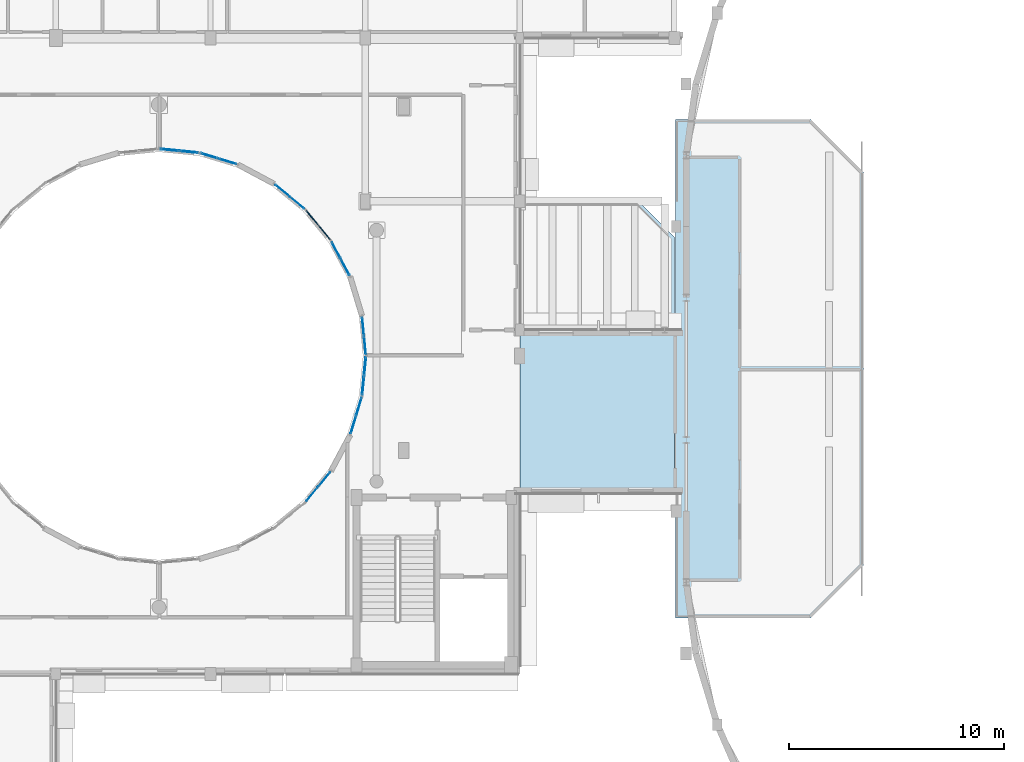
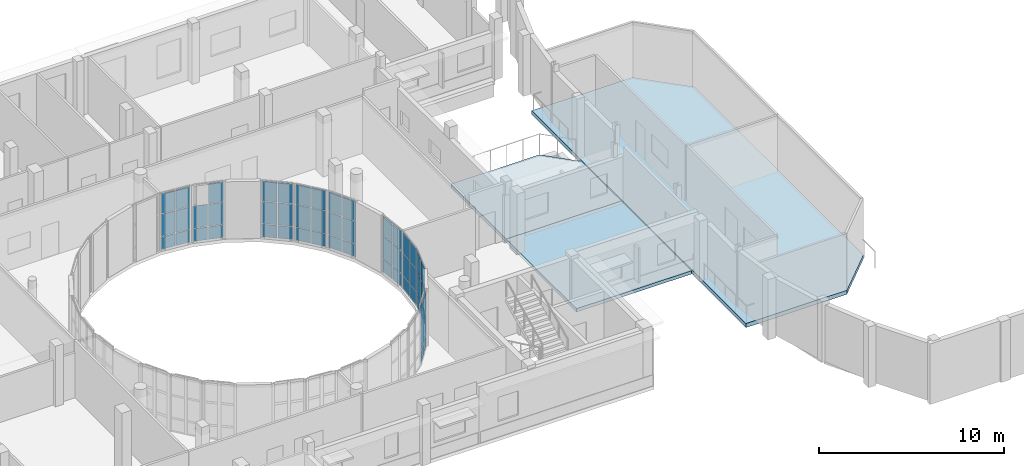
# One storey, part 62 of 92: 53 plates, 3 slabs, 9 elements without a shape of their own.
"""IFC4 building model written with IfcOpenShell, lengths in metres."""

from ifc_helpers import new_model, si_unit, direction, frame, origin, origin_2d, place, context, subcontext, project, spatial, polyline, rectangle, outline, extrude, material, layer, layer_set, type_object, element, aggregate, save


model = new_model("IFC4")

# Units and contexts
model_context = context("Model", 3, precision=1e-05, world=origin(), true_north=direction((0.0, 1.0)))
body_context = subcontext(model_context, "Body", "Model", "MODEL_VIEW")
ifc_project = project(units=[si_unit("LENGTHUNIT", "METRE"), si_unit("AREAUNIT", "SQUARE_METRE"), si_unit("VOLUMEUNIT", "CUBIC_METRE"), si_unit("PLANEANGLEUNIT", "RADIAN"), si_unit("MASSUNIT", "GRAM", prefix="KILO")], contexts=[model_context])

# Site, building, storey
site_placement = place(None, origin())
site = spatial("IfcSite", under=ifc_project, at=site_placement, CompositionType="ELEMENT")
building_placement = place(site_placement, origin())
building = spatial("IfcBuilding", under=site, at=building_placement, Name="Kelanivale Promenade Academy", CompositionType="ELEMENT")
storey_placement = place(building_placement, frame((0.0, 0.0, 8.199951171875)))
storey = spatial("IfcBuildingStorey", under=building, at=storey_placement, Name="L02", CompositionType="ELEMENT", Elevation=8.199951171875)

# Curtain wall, plates
ifc_material_1 = material(Name="Bronze anodised aluminium and solar-control low-E glass", Category="aluminium")
ifc_layer_1 = layer(ifc_material_1, 0.169921875)
ifc_layer_set_1 = layer_set([ifc_layer_1], Name="Bronze anodised aluminium and solar-control low-E glass")
curtain_wall_type_1 = type_object("IfcCurtainWallType", Name="CW-10 Curtain Wall 1800mm Module", PredefinedType="USERDEFINED", material=ifc_layer_set_1)
curtain_wall_1_placement = place(storey_placement, origin())
curtain_wall_1 = element("IfcCurtainWall", 1, at=curtain_wall_1_placement, inside=storey, type_object=curtain_wall_type_1, Name="L02 courtyard curtain wall CW-10", ObjectType="UNITISED GLAZING", PredefinedType="USERDEFINED")
ifc_material_2 = material(Name="Solar-control double glazing 28 mm", Category="glass")
ifc_layer_2 = layer(ifc_material_2, 0.028076171875)
ifc_layer_set_2 = layer_set([ifc_layer_2], Name="Solar-control double glazing 28 mm")
plate_type_1 = type_object("IfcPlateType", Name="CWP-01 Plate 28mm", PredefinedType="CURTAIN_PANEL", material=ifc_layer_set_2)
plate_1_placement = place(storey_placement, frame((105.23828125, 63.92822265625, 0.05029296875), z_axis=(0.0, 0.0, 1.0), x_axis=(-0.773257170269, 0.634092539482, 0.0)))
plate_1 = element("IfcPlate", 2, at=plate_1_placement, type_object=plate_type_1, Name="CW-10 panel 1.1", PredefinedType="CURTAIN_PANEL", context=body_context, shape_type="SweptSolid", body=[
    extrude(rectangle(XDim=0.833251953125, YDim=0.028076171875, at=origin_2d()), origin(), (0.0, 0.0, 1.0), 0.824951171875),
])
plate_2_placement = place(storey_placement, frame((105.23828125, 63.92822265625, 0.92529296875), z_axis=(0.0, 0.0, 1.0), x_axis=(-0.773257170269, 0.634092539482, 0.0)))
plate_2 = element("IfcPlate", 3, at=plate_2_placement, type_object=plate_type_1, Name="CW-10 panel 1.2", PredefinedType="CURTAIN_PANEL", context=body_context, shape_type="SweptSolid", body=[
    extrude(rectangle(XDim=0.833251953125, YDim=0.028076171875, at=origin_2d()), origin(), (0.0, 0.0, 1.0), 1.449951171875),
])
plate_3_placement = place(storey_placement, frame((105.23828125, 63.92822265625, 2.42529296875), z_axis=(0.0, 0.0, 1.0), x_axis=(-0.773257170269, 0.634092539482, 0.0)))
plate_3 = element("IfcPlate", 4, at=plate_3_placement, type_object=plate_type_1, Name="CW-10 panel 1.3", PredefinedType="CURTAIN_PANEL", context=body_context, shape_type="SweptSolid", body=[
    extrude(rectangle(XDim=0.833251953125, YDim=0.028076171875, at=origin_2d()), origin(), (0.0, 0.0, 1.0), 1.304931640625),
])
plate_4_placement = place(storey_placement, frame((104.547607421875, 64.49462890625, 0.05029296875), z_axis=(0.0, 0.0, 1.0), x_axis=(-0.773257170269, 0.634092539482, 0.0)))
plate_4 = element("IfcPlate", 5, at=plate_4_placement, type_object=plate_type_1, Name="CW-10 panel 2.1", PredefinedType="CURTAIN_PANEL", context=body_context, shape_type="SweptSolid", body=[
    extrude(rectangle(XDim=0.833251953125, YDim=0.028076171875, at=origin_2d()), origin(), (0.0, 0.0, 1.0), 0.824951171875),
])
plate_5_placement = place(storey_placement, frame((104.547607421875, 64.49462890625, 0.92529296875), z_axis=(0.0, 0.0, 1.0), x_axis=(-0.773257170269, 0.634092539482, 0.0)))
plate_5 = element("IfcPlate", 6, at=plate_5_placement, type_object=plate_type_1, Name="CW-10 panel 2.2", PredefinedType="CURTAIN_PANEL", context=body_context, shape_type="SweptSolid", body=[
    extrude(rectangle(XDim=0.833251953125, YDim=0.028076171875, at=origin_2d()), origin(), (0.0, 0.0, 1.0), 1.449951171875),
])
plate_6_placement = place(storey_placement, frame((104.547607421875, 64.49462890625, 2.42529296875), z_axis=(0.0, 0.0, 1.0), x_axis=(-0.773257170269, 0.634092539482, 0.0)))
plate_6 = element("IfcPlate", 7, at=plate_6_placement, type_object=plate_type_1, Name="CW-10 panel 2.3", PredefinedType="CURTAIN_PANEL", context=body_context, shape_type="SweptSolid", body=[
    extrude(rectangle(XDim=0.833251953125, YDim=0.028076171875, at=origin_2d()), origin(), (0.0, 0.0, 1.0), 1.304931640625),
])
aggregate(curtain_wall_1, [plate_1, plate_2, plate_3, plate_4, plate_5, plate_6])

ifc_layer_3 = layer(ifc_material_1, 0.169921875)
ifc_layer_set_3 = layer_set([ifc_layer_3], Name="Bronze anodised aluminium and solar-control low-E glass")
curtain_wall_type_2 = type_object("IfcCurtainWallType", Name="CW-04 Curtain Wall 1800mm Module", PredefinedType="USERDEFINED", material=ifc_layer_set_3)
curtain_wall_2_placement = place(storey_placement, origin())
curtain_wall_2 = element("IfcCurtainWall", 8, at=curtain_wall_2_placement, inside=storey, type_object=curtain_wall_type_2, Name="L02 courtyard curtain wall CW-04", ObjectType="UNITISED GLAZING", PredefinedType="USERDEFINED")
plate_7_placement = place(storey_placement, frame((105.928955078125, 50.362548828125, 0.06005859375), z_axis=(0.0, 0.0, 1.0), x_axis=(0.634092539482, 0.773257170269, 0.0)))
plate_7 = element("IfcPlate", 9, at=plate_7_placement, type_object=plate_type_1, Name="CW-04 panel 1.1", PredefinedType="CURTAIN_PANEL", context=body_context, shape_type="SweptSolid", body=[
    extrude(rectangle(XDim=0.825927734375, YDim=0.028076171875, at=origin_2d()), origin(), (0.0, 0.0, 1.0), 0.81005859375),
])
plate_8_placement = place(storey_placement, frame((105.928955078125, 50.362548828125, 0.93017578125), z_axis=(0.0, 0.0, 1.0), x_axis=(0.634092539482, 0.773257170269, 0.0)))
plate_8 = element("IfcPlate", 10, at=plate_8_placement, type_object=plate_type_1, Name="CW-04 panel 1.2", PredefinedType="CURTAIN_PANEL", context=body_context, shape_type="SweptSolid", body=[
    extrude(rectangle(XDim=0.825927734375, YDim=0.028076171875, at=origin_2d()), origin(), (0.0, 0.0, 1.0), 1.43994140625),
])
plate_9_placement = place(storey_placement, frame((105.928955078125, 50.362548828125, 2.429931640625), z_axis=(0.0, 0.0, 1.0), x_axis=(0.634092539482, 0.773257170269, 0.0)))
plate_9 = element("IfcPlate", 11, at=plate_9_placement, type_object=plate_type_1, Name="CW-04 panel 1.3", PredefinedType="CURTAIN_PANEL", context=body_context, shape_type="SweptSolid", body=[
    extrude(rectangle(XDim=0.825927734375, YDim=0.028076171875, at=origin_2d()), origin(), (0.0, 0.0, 1.0), 1.2900390625),
])
plate_10_placement = place(storey_placement, frame((106.493896484375, 51.051513671875, 0.06005859375), z_axis=(0.0, 0.0, 1.0), x_axis=(0.634092539482, 0.773257170269, 0.0)))
plate_10 = element("IfcPlate", 12, at=plate_10_placement, type_object=plate_type_1, Name="CW-04 panel 2.1", PredefinedType="CURTAIN_PANEL", context=body_context, shape_type="SweptSolid", body=[
    extrude(rectangle(XDim=0.825927734375, YDim=0.028076171875, at=origin_2d()), origin(), (0.0, 0.0, 1.0), 0.81005859375),
])
plate_11_placement = place(storey_placement, frame((106.493896484375, 51.051513671875, 0.93017578125), z_axis=(0.0, 0.0, 1.0), x_axis=(0.634092539482, 0.773257170269, 0.0)))
plate_11 = element("IfcPlate", 13, at=plate_11_placement, type_object=plate_type_1, Name="CW-04 panel 2.2", PredefinedType="CURTAIN_PANEL", context=body_context, shape_type="SweptSolid", body=[
    extrude(rectangle(XDim=0.825927734375, YDim=0.028076171875, at=origin_2d()), origin(), (0.0, 0.0, 1.0), 1.43994140625),
])
plate_12_placement = place(storey_placement, frame((106.493896484375, 51.051513671875, 2.429931640625), z_axis=(0.0, 0.0, 1.0), x_axis=(0.634092539482, 0.773257170269, 0.0)))
plate_12 = element("IfcPlate", 14, at=plate_12_placement, type_object=plate_type_1, Name="CW-04 panel 2.3", PredefinedType="CURTAIN_PANEL", context=body_context, shape_type="SweptSolid", body=[
    extrude(rectangle(XDim=0.825927734375, YDim=0.028076171875, at=origin_2d()), origin(), (0.0, 0.0, 1.0), 1.2900390625),
])
aggregate(curtain_wall_2, [plate_7, plate_8, plate_9, plate_10, plate_11, plate_12])

ifc_layer_4 = layer(ifc_material_1, 0.169921875)
ifc_layer_set_4 = layer_set([ifc_layer_4], Name="Bronze anodised aluminium and solar-control low-E glass")
curtain_wall_type_3 = type_object("IfcCurtainWallType", Name="CW-07 Curtain Wall 1350mm Module", PredefinedType="USERDEFINED", material=ifc_layer_set_4)
curtain_wall_3_placement = place(storey_placement, origin())
curtain_wall_3 = element("IfcCurtainWall", 15, at=curtain_wall_3_placement, inside=storey, type_object=curtain_wall_type_3, Name="L02 courtyard curtain wall CW-07", ObjectType="UNITISED GLAZING", PredefinedType="USERDEFINED")
plate_13_placement = place(storey_placement, frame((108.391845703125, 57.28955078125, 0.05029296875), z_axis=(0.0, 0.0, 1.0), x_axis=(-0.098538762159, 0.99513321337, 0.0)))
plate_13 = element("IfcPlate", 16, at=plate_13_placement, type_object=plate_type_1, Name="CW-07 panel 1.1", PredefinedType="CURTAIN_PANEL", context=body_context, shape_type="SweptSolid", body=[
    extrude(rectangle(XDim=0.825927734375, YDim=0.028076171875, at=origin_2d()), origin(), (0.0, 0.0, 1.0), 0.824951171875),
])
plate_14_placement = place(storey_placement, frame((108.391845703125, 57.28955078125, 0.92529296875), z_axis=(0.0, 0.0, 1.0), x_axis=(-0.098538762159, 0.99513321337, 0.0)))
plate_14 = element("IfcPlate", 17, at=plate_14_placement, type_object=plate_type_1, Name="CW-07 panel 1.2", PredefinedType="CURTAIN_PANEL", context=body_context, shape_type="SweptSolid", body=[
    extrude(rectangle(XDim=0.825927734375, YDim=0.028076171875, at=origin_2d()), origin(), (0.0, 0.0, 1.0), 1.449951171875),
])
plate_15_placement = place(storey_placement, frame((108.391845703125, 57.28955078125, 2.42529296875), z_axis=(0.0, 0.0, 1.0), x_axis=(-0.098538762159, 0.99513321337, 0.0)))
plate_15 = element("IfcPlate", 18, at=plate_15_placement, type_object=plate_type_1, Name="CW-07 panel 1.3", PredefinedType="CURTAIN_PANEL", context=body_context, shape_type="SweptSolid", body=[
    extrude(rectangle(XDim=0.825927734375, YDim=0.028076171875, at=origin_2d()), origin(), (0.0, 0.0, 1.0), 1.304931640625),
])
plate_16_placement = place(storey_placement, frame((108.30419921875, 58.17626953125, 0.05029296875), z_axis=(0.0, 0.0, 1.0), x_axis=(-0.098538762159, 0.99513321337, 0.0)))
plate_16 = element("IfcPlate", 19, at=plate_16_placement, type_object=plate_type_1, Name="CW-07 panel 2.1", PredefinedType="CURTAIN_PANEL", context=body_context, shape_type="SweptSolid", body=[
    extrude(rectangle(XDim=0.825927734375, YDim=0.028076171875, at=origin_2d()), origin(), (0.0, 0.0, 1.0), 0.824951171875),
])
plate_17_placement = place(storey_placement, frame((108.30419921875, 58.17626953125, 0.92529296875), z_axis=(0.0, 0.0, 1.0), x_axis=(-0.098538762159, 0.99513321337, 0.0)))
plate_17 = element("IfcPlate", 20, at=plate_17_placement, type_object=plate_type_1, Name="CW-07 panel 2.2", PredefinedType="CURTAIN_PANEL", context=body_context, shape_type="SweptSolid", body=[
    extrude(rectangle(XDim=0.825927734375, YDim=0.028076171875, at=origin_2d()), origin(), (0.0, 0.0, 1.0), 1.449951171875),
])
plate_18_placement = place(storey_placement, frame((108.30419921875, 58.17626953125, 2.42529296875), z_axis=(0.0, 0.0, 1.0), x_axis=(-0.098538762159, 0.99513321337, 0.0)))
plate_18 = element("IfcPlate", 21, at=plate_18_placement, type_object=plate_type_1, Name="CW-07 panel 2.3", PredefinedType="CURTAIN_PANEL", context=body_context, shape_type="SweptSolid", body=[
    extrude(rectangle(XDim=0.825927734375, YDim=0.028076171875, at=origin_2d()), origin(), (0.0, 0.0, 1.0), 1.304931640625),
])
aggregate(curtain_wall_3, [plate_13, plate_14, plate_15, plate_16, plate_17, plate_18])

ifc_layer_5 = layer(ifc_material_1, 0.179931640625)
ifc_layer_set_5 = layer_set([ifc_layer_5], Name="Bronze anodised aluminium and solar-control low-E glass")
curtain_wall_type_4 = type_object("IfcCurtainWallType", Name="CW-08 Curtain Wall 1500mm Module", PredefinedType="USERDEFINED", material=ifc_layer_set_5)
curtain_wall_4_placement = place(storey_placement, origin())
curtain_wall_4 = element("IfcCurtainWall", 22, at=curtain_wall_4_placement, inside=storey, type_object=curtain_wall_type_4, Name="L02 courtyard curtain wall CW-08", ObjectType="UNITISED GLAZING", PredefinedType="USERDEFINED")
ifc_material_3 = material(Name="Acoustic laminated double glazing 36 mm", Category="glass")
ifc_layer_6 = layer(ifc_material_3, 0.035888671875)
ifc_layer_set_6 = layer_set([ifc_layer_6], Name="Acoustic laminated double glazing 36 mm")
plate_type_2 = type_object("IfcPlateType", Name="CWP-02 Plate 36mm", PredefinedType="CURTAIN_PANEL", material=ifc_layer_set_6)
plate_19_placement = place(storey_placement, frame((107.467529296875, 60.935791015625, 0.06005859375), z_axis=(0.0, 0.0, 1.0), x_axis=(-0.471290193914, 0.881978204448, 0.0)))
plate_19 = element("IfcPlate", 23, at=plate_19_placement, type_object=plate_type_2, Name="CW-08 panel 1.1", PredefinedType="CURTAIN_PANEL", context=body_context, shape_type="SweptSolid", body=[
    extrude(rectangle(XDim=0.82666015625, YDim=0.035888671875, at=origin_2d()), origin(), (0.0, 0.0, 1.0), 0.81005859375),
])
plate_20_placement = place(storey_placement, frame((107.467529296875, 60.935791015625, 0.93017578125), z_axis=(0.0, 0.0, 1.0), x_axis=(-0.471290193914, 0.881978204448, 0.0)))
plate_20 = element("IfcPlate", 24, at=plate_20_placement, type_object=plate_type_2, Name="CW-08 panel 1.2", PredefinedType="CURTAIN_PANEL", context=body_context, shape_type="SweptSolid", body=[
    extrude(rectangle(XDim=0.82666015625, YDim=0.035888671875, at=origin_2d()), origin(), (0.0, 0.0, 1.0), 1.43994140625),
])
plate_21_placement = place(storey_placement, frame((107.467529296875, 60.935791015625, 2.429931640625), z_axis=(0.0, 0.0, 1.0), x_axis=(-0.471290193914, 0.881978204448, 0.0)))
plate_21 = element("IfcPlate", 25, at=plate_21_placement, type_object=plate_type_2, Name="CW-08 panel 1.3", PredefinedType="CURTAIN_PANEL", context=body_context, shape_type="SweptSolid", body=[
    extrude(rectangle(XDim=0.82666015625, YDim=0.035888671875, at=origin_2d()), origin(), (0.0, 0.0, 1.0), 1.2900390625),
])
plate_22_placement = place(storey_placement, frame((107.04736328125, 61.72216796875, 0.06005859375), z_axis=(0.0, 0.0, 1.0), x_axis=(-0.471290193914, 0.881978204448, 0.0)))
plate_22 = element("IfcPlate", 26, at=plate_22_placement, type_object=plate_type_2, Name="CW-08 panel 2.1", PredefinedType="CURTAIN_PANEL", context=body_context, shape_type="SweptSolid", body=[
    extrude(rectangle(XDim=0.82666015625, YDim=0.035888671875, at=origin_2d()), origin(), (0.0, 0.0, 1.0), 0.81005859375),
])
plate_23_placement = place(storey_placement, frame((107.04736328125, 61.72216796875, 0.93017578125), z_axis=(0.0, 0.0, 1.0), x_axis=(-0.471290193914, 0.881978204448, 0.0)))
plate_23 = element("IfcPlate", 27, at=plate_23_placement, type_object=plate_type_2, Name="CW-08 panel 2.2", PredefinedType="CURTAIN_PANEL", context=body_context, shape_type="SweptSolid", body=[
    extrude(rectangle(XDim=0.82666015625, YDim=0.035888671875, at=origin_2d()), origin(), (0.0, 0.0, 1.0), 1.43994140625),
])
plate_24_placement = place(storey_placement, frame((107.04736328125, 61.72216796875, 2.429931640625), z_axis=(0.0, 0.0, 1.0), x_axis=(-0.471290193914, 0.881978204448, 0.0)))
plate_24 = element("IfcPlate", 28, at=plate_24_placement, type_object=plate_type_2, Name="CW-08 panel 2.3", PredefinedType="CURTAIN_PANEL", context=body_context, shape_type="SweptSolid", body=[
    extrude(rectangle(XDim=0.82666015625, YDim=0.035888671875, at=origin_2d()), origin(), (0.0, 0.0, 1.0), 1.2900390625),
])
aggregate(curtain_wall_4, [plate_19, plate_20, plate_21, plate_22, plate_23, plate_24])

ifc_layer_7 = layer(ifc_material_1, 0.179931640625)
ifc_layer_set_7 = layer_set([ifc_layer_7], Name="Bronze anodised aluminium and solar-control low-E glass")
curtain_wall_type_5 = type_object("IfcCurtainWallType", Name="CW-11 Curtain Wall 1950mm Module", PredefinedType="USERDEFINED", material=ifc_layer_set_7)
curtain_wall_5_placement = place(storey_placement, origin())
curtain_wall_5 = element("IfcCurtainWall", 29, at=curtain_wall_5_placement, inside=storey, type_object=curtain_wall_type_5, Name="L02 courtyard curtain wall CW-11", ObjectType="UNITISED GLAZING", PredefinedType="USERDEFINED")
plate_25_placement = place(storey_placement, frame((102.00439453125, 65.853759765625, 0.05029296875), z_axis=(0.0, 0.0, 1.0), x_axis=(-0.956987977524, 0.290127576893, 0.0)))
plate_25 = element("IfcPlate", 30, at=plate_25_placement, type_object=plate_type_2, Name="CW-11 panel 1.1", PredefinedType="CURTAIN_PANEL", context=body_context, shape_type="SweptSolid", body=[
    extrude(rectangle(XDim=0.826171875, YDim=0.035888671875, at=origin_2d()), origin(), (0.0, 0.0, 1.0), 0.824951171875),
])
plate_26_placement = place(storey_placement, frame((102.00439453125, 65.853759765625, 0.92529296875), z_axis=(0.0, 0.0, 1.0), x_axis=(-0.956987977524, 0.290127576893, 0.0)))
plate_26 = element("IfcPlate", 31, at=plate_26_placement, type_object=plate_type_2, Name="CW-11 panel 1.2", PredefinedType="CURTAIN_PANEL", context=body_context, shape_type="SweptSolid", body=[
    extrude(rectangle(XDim=0.826171875, YDim=0.035888671875, at=origin_2d()), origin(), (0.0, 0.0, 1.0), 1.449951171875),
])
plate_27_placement = place(storey_placement, frame((102.00439453125, 65.853759765625, 2.42529296875), z_axis=(0.0, 0.0, 1.0), x_axis=(-0.956987977524, 0.290127576893, 0.0)))
plate_27 = element("IfcPlate", 32, at=plate_27_placement, type_object=plate_type_2, Name="CW-11 panel 1.3", PredefinedType="CURTAIN_PANEL", context=body_context, shape_type="SweptSolid", body=[
    extrude(rectangle(XDim=0.826171875, YDim=0.035888671875, at=origin_2d()), origin(), (0.0, 0.0, 1.0), 1.304931640625),
])
plate_28_placement = place(storey_placement, frame((101.151611328125, 66.1123046875, 0.05029296875), z_axis=(0.0, 0.0, 1.0), x_axis=(-0.956987977524, 0.290127576893, 0.0)))
plate_28 = element("IfcPlate", 33, at=plate_28_placement, type_object=plate_type_2, Name="CW-11 panel 2.1", PredefinedType="CURTAIN_PANEL", context=body_context, shape_type="SweptSolid", body=[
    extrude(rectangle(XDim=0.826171875, YDim=0.035888671875, at=origin_2d()), origin(), (0.0, 0.0, 1.0), 0.824951171875),
])
plate_29_placement = place(storey_placement, frame((101.151611328125, 66.1123046875, 0.92529296875), z_axis=(0.0, 0.0, 1.0), x_axis=(-0.956987977524, 0.290127576893, 0.0)))
plate_29 = element("IfcPlate", 34, at=plate_29_placement, type_object=plate_type_2, Name="CW-11 panel 2.2", PredefinedType="CURTAIN_PANEL", context=body_context, shape_type="SweptSolid", body=[
    extrude(rectangle(XDim=0.826171875, YDim=0.035888671875, at=origin_2d()), origin(), (0.0, 0.0, 1.0), 1.449951171875),
])
aggregate(curtain_wall_5, [plate_25, plate_26, plate_27, plate_28, plate_29])

ifc_layer_8 = layer(ifc_material_1, 0.179931640625)
ifc_layer_set_8 = layer_set([ifc_layer_8], Name="Bronze anodised aluminium and solar-control low-E glass")
curtain_wall_type_6 = type_object("IfcCurtainWallType", Name="CW-05 Curtain Wall 1950mm Module", PredefinedType="USERDEFINED", material=ifc_layer_set_8)
curtain_wall_6_placement = place(storey_placement, origin())
curtain_wall_6 = element("IfcCurtainWall", 35, at=curtain_wall_6_placement, inside=storey, type_object=curtain_wall_type_6, Name="L02 courtyard curtain wall CW-05", ObjectType="UNITISED GLAZING", PredefinedType="USERDEFINED")
plate_30_placement = place(storey_placement, frame((107.853271484375, 53.59423828125, 0.05029296875), z_axis=(0.0, 0.0, 1.0), x_axis=(0.290127576893, 0.956987977524, 0.0)))
plate_30 = element("IfcPlate", 36, at=plate_30_placement, type_object=plate_type_2, Name="CW-05 panel 1.1", PredefinedType="CURTAIN_PANEL", context=body_context, shape_type="SweptSolid", body=[
    extrude(rectangle(XDim=0.833740234375, YDim=0.035888671875, at=origin_2d()), origin(), (0.0, 0.0, 1.0), 0.824951171875),
])
plate_31_placement = place(storey_placement, frame((107.853271484375, 53.59423828125, 0.92529296875), z_axis=(0.0, 0.0, 1.0), x_axis=(0.290127576893, 0.956987977524, 0.0)))
plate_31 = element("IfcPlate", 37, at=plate_31_placement, type_object=plate_type_2, Name="CW-05 panel 1.2", PredefinedType="CURTAIN_PANEL", context=body_context, shape_type="SweptSolid", body=[
    extrude(rectangle(XDim=0.833740234375, YDim=0.035888671875, at=origin_2d()), origin(), (0.0, 0.0, 1.0), 1.449951171875),
])
plate_32_placement = place(storey_placement, frame((107.853271484375, 53.59423828125, 2.42529296875), z_axis=(0.0, 0.0, 1.0), x_axis=(0.290127576893, 0.956987977524, 0.0)))
plate_32 = element("IfcPlate", 38, at=plate_32_placement, type_object=plate_type_2, Name="CW-05 panel 1.3", PredefinedType="CURTAIN_PANEL", context=body_context, shape_type="SweptSolid", body=[
    extrude(rectangle(XDim=0.833740234375, YDim=0.035888671875, at=origin_2d()), origin(), (0.0, 0.0, 1.0), 1.304931640625),
])
plate_33_placement = place(storey_placement, frame((108.112548828125, 54.44970703125, 0.05029296875), z_axis=(0.0, 0.0, 1.0), x_axis=(0.290127576893, 0.956987977524, 0.0)))
plate_33 = element("IfcPlate", 39, at=plate_33_placement, type_object=plate_type_2, Name="CW-05 panel 2.1", PredefinedType="CURTAIN_PANEL", context=body_context, shape_type="SweptSolid", body=[
    extrude(rectangle(XDim=0.833740234375, YDim=0.035888671875, at=origin_2d()), origin(), (0.0, 0.0, 1.0), 0.824951171875),
])
plate_34_placement = place(storey_placement, frame((108.112548828125, 54.44970703125, 0.92529296875), z_axis=(0.0, 0.0, 1.0), x_axis=(0.290127576893, 0.956987977524, 0.0)))
plate_34 = element("IfcPlate", 40, at=plate_34_placement, type_object=plate_type_2, Name="CW-05 panel 2.2", PredefinedType="CURTAIN_PANEL", context=body_context, shape_type="SweptSolid", body=[
    extrude(rectangle(XDim=0.833740234375, YDim=0.035888671875, at=origin_2d()), origin(), (0.0, 0.0, 1.0), 1.449951171875),
])
plate_35_placement = place(storey_placement, frame((108.112548828125, 54.44970703125, 2.42529296875), z_axis=(0.0, 0.0, 1.0), x_axis=(0.290127576893, 0.956987977524, 0.0)))
plate_35 = element("IfcPlate", 41, at=plate_35_placement, type_object=plate_type_2, Name="CW-05 panel 2.3", PredefinedType="CURTAIN_PANEL", context=body_context, shape_type="SweptSolid", body=[
    extrude(rectangle(XDim=0.833740234375, YDim=0.035888671875, at=origin_2d()), origin(), (0.0, 0.0, 1.0), 1.304931640625),
])
aggregate(curtain_wall_6, [plate_30, plate_31, plate_32, plate_33, plate_34, plate_35])

ifc_layer_9 = layer(ifc_material_1, 0.159912109375)
ifc_layer_set_9 = layer_set([ifc_layer_9], Name="Bronze anodised aluminium and solar-control low-E glass")
curtain_wall_type_7 = type_object("IfcCurtainWallType", Name="CW-09 Curtain Wall 1650mm Module", PredefinedType="USERDEFINED", material=ifc_layer_set_9)
curtain_wall_7_placement = place(storey_placement, origin())
curtain_wall_7 = element("IfcCurtainWall", 42, at=curtain_wall_7_placement, inside=storey, type_object=curtain_wall_type_7, Name="L02 courtyard curtain wall CW-09", ObjectType="UNITISED GLAZING", PredefinedType="USERDEFINED")
ifc_material_4 = material(Name="Insulated bronze aluminium spandrel panel 44 mm", Category="aluminium")
ifc_layer_10 = layer(ifc_material_4, 0.0439453125)
ifc_layer_set_10 = layer_set([ifc_layer_10], Name="Insulated bronze aluminium spandrel panel 44 mm")
plate_type_3 = type_object("IfcPlateType", Name="CWP-03 Plate 44mm", PredefinedType="CURTAIN_PANEL", material=ifc_layer_set_10)
plate_36_placement = place(storey_placement, frame((106.502197265625, 62.53857421875, 0.05029296875), z_axis=(0.0, 0.0, 1.0), x_axis=(-0.634143799719, 0.773215132597, 0.0)))
plate_36 = element("IfcPlate", 43, at=plate_36_placement, type_object=plate_type_3, Name="CW-09 panel 1.1", PredefinedType="CURTAIN_PANEL", context=body_context, shape_type="SweptSolid", body=[
    extrude(rectangle(XDim=0.841064453125, YDim=0.0439453125, at=origin_2d()), origin(), (0.0, 0.0, 1.0), 0.824951171875),
])
plate_37_placement = place(storey_placement, frame((106.502197265625, 62.53857421875, 0.92529296875), z_axis=(0.0, 0.0, 1.0), x_axis=(-0.634143799719, 0.773215132597, 0.0)))
plate_37 = element("IfcPlate", 44, at=plate_37_placement, type_object=plate_type_3, Name="CW-09 panel 1.2", PredefinedType="CURTAIN_PANEL", context=body_context, shape_type="SweptSolid", body=[
    extrude(rectangle(XDim=0.841064453125, YDim=0.0439453125, at=origin_2d()), origin(), (0.0, 0.0, 1.0), 1.449951171875),
])
plate_38_placement = place(storey_placement, frame((106.502197265625, 62.53857421875, 2.42529296875), z_axis=(0.0, 0.0, 1.0), x_axis=(-0.634143799719, 0.773215132597, 0.0)))
plate_38 = element("IfcPlate", 45, at=plate_38_placement, type_object=plate_type_3, Name="CW-09 panel 1.3", PredefinedType="CURTAIN_PANEL", context=body_context, shape_type="SweptSolid", body=[
    extrude(rectangle(XDim=0.841064453125, YDim=0.0439453125, at=origin_2d()), origin(), (0.0, 0.0, 1.0), 1.304931640625),
])
plate_39_placement = place(storey_placement, frame((105.9306640625, 63.2353515625, 0.05029296875), z_axis=(0.0, 0.0, 1.0), x_axis=(-0.634143799719, 0.773215132597, 0.0)))
plate_39 = element("IfcPlate", 46, at=plate_39_placement, type_object=plate_type_3, Name="CW-09 panel 2.1", PredefinedType="CURTAIN_PANEL", context=body_context, shape_type="SweptSolid", body=[
    extrude(rectangle(XDim=0.841064453125, YDim=0.0439453125, at=origin_2d()), origin(), (0.0, 0.0, 1.0), 0.824951171875),
])
plate_40_placement = place(storey_placement, frame((105.9306640625, 63.2353515625, 0.92529296875), z_axis=(0.0, 0.0, 1.0), x_axis=(-0.634143799719, 0.773215132597, 0.0)))
plate_40 = element("IfcPlate", 47, at=plate_40_placement, type_object=plate_type_3, Name="CW-09 panel 2.2", PredefinedType="CURTAIN_PANEL", context=body_context, shape_type="SweptSolid", body=[
    extrude(rectangle(XDim=0.841064453125, YDim=0.0439453125, at=origin_2d()), origin(), (0.0, 0.0, 1.0), 1.449951171875),
])
plate_41_placement = place(storey_placement, frame((105.9306640625, 63.2353515625, 2.42529296875), z_axis=(0.0, 0.0, 1.0), x_axis=(-0.634143799719, 0.773215132597, 0.0)))
plate_41 = element("IfcPlate", 48, at=plate_41_placement, type_object=plate_type_3, Name="CW-09 panel 2.3", PredefinedType="CURTAIN_PANEL", context=body_context, shape_type="SweptSolid", body=[
    extrude(rectangle(XDim=0.841064453125, YDim=0.0439453125, at=origin_2d()), origin(), (0.0, 0.0, 1.0), 1.304931640625),
])
aggregate(curtain_wall_7, [plate_36, plate_37, plate_38, plate_39, plate_40, plate_41])

ifc_layer_11 = layer(ifc_material_1, 0.159912109375)
ifc_layer_set_11 = layer_set([ifc_layer_11], Name="Bronze anodised aluminium and solar-control low-E glass")
curtain_wall_type_8 = type_object("IfcCurtainWallType", Name="CW-12 Curtain Wall 1200mm Module", PredefinedType="USERDEFINED", material=ifc_layer_set_11)
curtain_wall_8_placement = place(storey_placement, origin())
curtain_wall_8 = element("IfcCurtainWall", 49, at=curtain_wall_8_placement, inside=storey, type_object=curtain_wall_type_8, Name="L02 courtyard curtain wall CW-12", ObjectType="UNITISED GLAZING", PredefinedType="USERDEFINED")
plate_42_placement = place(storey_placement, frame((100.1875, 66.303466796875, 0.06005859375), z_axis=(0.0, 0.0, 1.0), x_axis=(-0.995158737767, 0.098280652454, 0.0)))
plate_42 = element("IfcPlate", 50, at=plate_42_placement, type_object=plate_type_3, Name="CW-12 panel 1.1", PredefinedType="CURTAIN_PANEL", context=body_context, shape_type="SweptSolid", body=[
    extrude(rectangle(XDim=0.83349609375, YDim=0.0439453125, at=origin_2d()), origin(), (0.0, 0.0, 1.0), 0.81005859375),
])
plate_43_placement = place(storey_placement, frame((100.1875, 66.303466796875, 0.93017578125), z_axis=(0.0, 0.0, 1.0), x_axis=(-0.995158737767, 0.098280652454, 0.0)))
plate_43 = element("IfcPlate", 51, at=plate_43_placement, type_object=plate_type_3, Name="CW-12 panel 1.2", PredefinedType="CURTAIN_PANEL", context=body_context, shape_type="SweptSolid", body=[
    extrude(rectangle(XDim=0.83349609375, YDim=0.0439453125, at=origin_2d()), origin(), (0.0, 0.0, 1.0), 1.43994140625),
])
plate_44_placement = place(storey_placement, frame((100.1875, 66.303466796875, 2.429931640625), z_axis=(0.0, 0.0, 1.0), x_axis=(-0.995158737767, 0.098280652454, 0.0)))
plate_44 = element("IfcPlate", 52, at=plate_44_placement, type_object=plate_type_3, Name="CW-12 panel 1.3", PredefinedType="CURTAIN_PANEL", context=body_context, shape_type="SweptSolid", body=[
    extrude(rectangle(XDim=0.83349609375, YDim=0.0439453125, at=origin_2d()), origin(), (0.0, 0.0, 1.0), 1.2900390625),
])
plate_45_placement = place(storey_placement, frame((99.29345703125, 66.3916015625, 0.06005859375), z_axis=(0.0, 0.0, 1.0), x_axis=(-0.995158737767, 0.098280652454, 0.0)))
plate_45 = element("IfcPlate", 53, at=plate_45_placement, type_object=plate_type_3, Name="CW-12 panel 2.1", PredefinedType="CURTAIN_PANEL", context=body_context, shape_type="SweptSolid", body=[
    extrude(rectangle(XDim=0.83349609375, YDim=0.0439453125, at=origin_2d()), origin(), (0.0, 0.0, 1.0), 0.81005859375),
])
plate_46_placement = place(storey_placement, frame((99.29345703125, 66.3916015625, 0.93017578125), z_axis=(0.0, 0.0, 1.0), x_axis=(-0.995158737767, 0.098280652454, 0.0)))
plate_46 = element("IfcPlate", 54, at=plate_46_placement, type_object=plate_type_3, Name="CW-12 panel 2.2", PredefinedType="CURTAIN_PANEL", context=body_context, shape_type="SweptSolid", body=[
    extrude(rectangle(XDim=0.83349609375, YDim=0.0439453125, at=origin_2d()), origin(), (0.0, 0.0, 1.0), 1.43994140625),
])
plate_47_placement = place(storey_placement, frame((99.29345703125, 66.3916015625, 2.429931640625), z_axis=(0.0, 0.0, 1.0), x_axis=(-0.995158737767, 0.098280652454, 0.0)))
plate_47 = element("IfcPlate", 55, at=plate_47_placement, type_object=plate_type_3, Name="CW-12 panel 2.3", PredefinedType="CURTAIN_PANEL", context=body_context, shape_type="SweptSolid", body=[
    extrude(rectangle(XDim=0.83349609375, YDim=0.0439453125, at=origin_2d()), origin(), (0.0, 0.0, 1.0), 1.2900390625),
])
aggregate(curtain_wall_8, [plate_42, plate_43, plate_44, plate_45, plate_46, plate_47])

ifc_layer_12 = layer(ifc_material_1, 0.159912109375)
ifc_layer_set_12 = layer_set([ifc_layer_12], Name="Bronze anodised aluminium and solar-control low-E glass")
curtain_wall_type_9 = type_object("IfcCurtainWallType", Name="CW-06 Curtain Wall 1200mm Module", PredefinedType="USERDEFINED", material=ifc_layer_set_12)
curtain_wall_9_placement = place(storey_placement, origin())
curtain_wall_9 = element("IfcCurtainWall", 56, at=curtain_wall_9_placement, inside=storey, type_object=curtain_wall_type_9, Name="L02 courtyard curtain wall CW-06", ObjectType="UNITISED GLAZING", PredefinedType="USERDEFINED")
plate_48_placement = place(storey_placement, frame((108.30322265625, 55.4111328125, 0.05029296875), z_axis=(0.0, 0.0, 1.0), x_axis=(0.098280652454, 0.995158737767, 0.0)))
plate_48 = element("IfcPlate", 57, at=plate_48_placement, type_object=plate_type_3, Name="CW-06 panel 1.1", PredefinedType="CURTAIN_PANEL", context=body_context, shape_type="SweptSolid", body=[
    extrude(rectangle(XDim=0.841064453125, YDim=0.0439453125, at=origin_2d()), origin(), (0.0, 0.0, 1.0), 0.824951171875),
])
plate_49_placement = place(storey_placement, frame((108.30322265625, 55.4111328125, 0.92529296875), z_axis=(0.0, 0.0, 1.0), x_axis=(0.098280652454, 0.995158737767, 0.0)))
plate_49 = element("IfcPlate", 58, at=plate_49_placement, type_object=plate_type_3, Name="CW-06 panel 1.2", PredefinedType="CURTAIN_PANEL", context=body_context, shape_type="SweptSolid", body=[
    extrude(rectangle(XDim=0.841064453125, YDim=0.0439453125, at=origin_2d()), origin(), (0.0, 0.0, 1.0), 1.449951171875),
])
plate_50_placement = place(storey_placement, frame((108.30322265625, 55.4111328125, 2.42529296875), z_axis=(0.0, 0.0, 1.0), x_axis=(0.098280652454, 0.995158737767, 0.0)))
plate_50 = element("IfcPlate", 59, at=plate_50_placement, type_object=plate_type_3, Name="CW-06 panel 1.3", PredefinedType="CURTAIN_PANEL", context=body_context, shape_type="SweptSolid", body=[
    extrude(rectangle(XDim=0.841064453125, YDim=0.0439453125, at=origin_2d()), origin(), (0.0, 0.0, 1.0), 1.304931640625),
])
plate_51_placement = place(storey_placement, frame((108.391845703125, 56.307861328125, 0.05029296875), z_axis=(0.0, 0.0, 1.0), x_axis=(0.098280652454, 0.995158737767, 0.0)))
plate_51 = element("IfcPlate", 60, at=plate_51_placement, type_object=plate_type_3, Name="CW-06 panel 2.1", PredefinedType="CURTAIN_PANEL", context=body_context, shape_type="SweptSolid", body=[
    extrude(rectangle(XDim=0.841064453125, YDim=0.0439453125, at=origin_2d()), origin(), (0.0, 0.0, 1.0), 0.824951171875),
])
plate_52_placement = place(storey_placement, frame((108.391845703125, 56.307861328125, 0.92529296875), z_axis=(0.0, 0.0, 1.0), x_axis=(0.098280652454, 0.995158737767, 0.0)))
plate_52 = element("IfcPlate", 61, at=plate_52_placement, type_object=plate_type_3, Name="CW-06 panel 2.2", PredefinedType="CURTAIN_PANEL", context=body_context, shape_type="SweptSolid", body=[
    extrude(rectangle(XDim=0.841064453125, YDim=0.0439453125, at=origin_2d()), origin(), (0.0, 0.0, 1.0), 1.449951171875),
])
plate_53_placement = place(storey_placement, frame((108.391845703125, 56.307861328125, 2.42529296875), z_axis=(0.0, 0.0, 1.0), x_axis=(0.098280652454, 0.995158737767, 0.0)))
plate_53 = element("IfcPlate", 62, at=plate_53_placement, type_object=plate_type_3, Name="CW-06 panel 2.3", PredefinedType="CURTAIN_PANEL", context=body_context, shape_type="SweptSolid", body=[
    extrude(rectangle(XDim=0.841064453125, YDim=0.0439453125, at=origin_2d()), origin(), (0.0, 0.0, 1.0), 1.304931640625),
])
aggregate(curtain_wall_9, [plate_48, plate_49, plate_50, plate_51, plate_52, plate_53])

# Slabs
ifc_material_5 = material(Name="Concrete C35/45", Category="concrete")
ifc_layer_13 = layer(ifc_material_5, 0.219970703125)
ifc_layer_set_13 = layer_set([ifc_layer_13], Name="Concrete C35/45")
slab_type_1 = type_object("IfcSlabType", Name="FS-01 Slab 220mm", PredefinedType="FLOOR", material=ifc_layer_set_13)
slab_1_placement = place(storey_placement, frame((0.0, 0.0, -0.219970703125)))
element("IfcSlab", 63, at=slab_1_placement, inside=storey, type_object=slab_type_1, Name="L02 structural slab SLB-L02-LKE", PredefinedType="FLOOR", context=body_context, shape_type="SweptSolid", body=[
    extrude(outline(polyline([(122.800048828125, 50.39990234375), (122.800048828125, 58.0), (115.60009765625, 58.0), (115.60009765625, 50.39990234375), (122.800048828125, 50.39990234375)])), origin(), (0.0, 0.0, 1.0), 0.219970703125),
])
ifc_layer_14 = layer(ifc_material_5, 0.264892578125)
ifc_layer_set_14 = layer_set([ifc_layer_14], Name="Concrete C35/45")
slab_type_2 = type_object("IfcSlabType", Name="FS-02 Slab 265mm", PredefinedType="FLOOR", material=ifc_layer_set_14)
slab_2_placement = place(storey_placement, frame((0.0, 0.0, -0.264892578125)))
element("IfcSlab", 64, at=slab_2_placement, inside=storey, type_object=slab_type_2, Name="L02 structural slab SLB-L02-V2G", PredefinedType="FLOOR", context=body_context, shape_type="SweptSolid", body=[
    extrude(outline(polyline([(129.14990234375, 44.60009765625), (131.60009765625, 47.050048828125), (131.60009765625, 65.35009765625), (129.14990234375, 67.800048828125), (122.85009765625, 67.800048828125), (122.85009765625, 44.60009765625), (129.14990234375, 44.60009765625)])), origin(), (0.0, 0.0, 1.0), 0.264892578125),
])
ifc_layer_15 = layer(ifc_material_5, 0.235107421875)
ifc_layer_set_15 = layer_set([ifc_layer_15], Name="Concrete C35/45")
slab_type_3 = type_object("IfcSlabType", Name="PD-01 Slab 235mm", PredefinedType="FLOOR", material=ifc_layer_set_15)
slab_3_placement = place(storey_placement, frame((0.0, 0.0, -0.23486328125)))
element("IfcSlab", 65, at=slab_3_placement, inside=storey, type_object=slab_type_3, Name="Assembly Foyer Shoulder Play Deck", PredefinedType="FLOOR", context=body_context, shape_type="SweptSolid", body=[
    extrude(outline(polyline([(122.800048828125, 58.0), (122.800048828125, 62.320068359375), (121.1201171875, 64.0), (115.60009765625, 64.0), (115.60009765625, 58.0), (122.800048828125, 58.0)])), origin(), (0.0, 0.0, 1.0), 0.23486328125),
])

save(model, "model.ifc")
